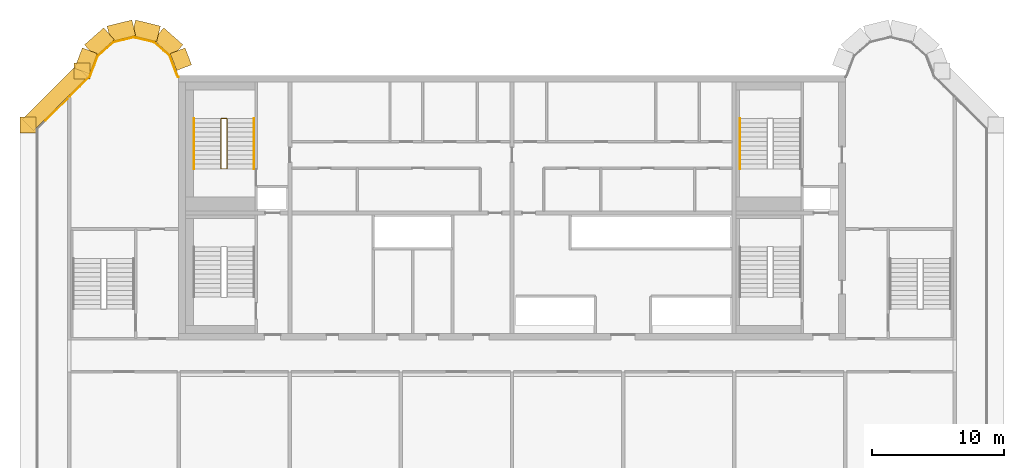
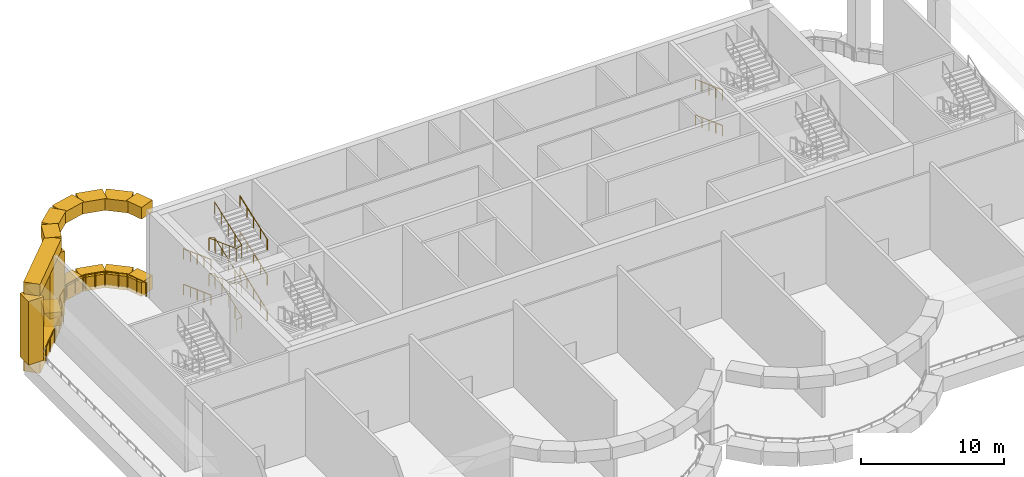
# One storey, part 9 of 11: 16 coverings, 14 railings.
"""IFC4 building model written with IfcOpenShell, lengths in metres."""

from ifc_helpers import new_model, si_unit, direction, frame, origin, origin_2d, place, context, subcontext, project, spatial, rectangle, circle, extrude, source, transform, mapped, material, type_object, element, save


model = new_model("IFC4")

# Units and contexts
model_context = context("Model", 3, precision=1e-05, world=origin(), true_north=direction((0.0, 1.0)))
body_context = subcontext(model_context, "Body", "Model", "MODEL_VIEW")
ifc_project = project(units=[si_unit("LENGTHUNIT", "METRE"), si_unit("AREAUNIT", "SQUARE_METRE"), si_unit("VOLUMEUNIT", "CUBIC_METRE"), si_unit("PLANEANGLEUNIT", "RADIAN"), si_unit("MASSUNIT", "GRAM", prefix="KILO")], contexts=[model_context])

# Site, building, storey
site_placement = place(None, origin())
site = spatial("IfcSite", under=ifc_project, at=site_placement, CompositionType="ELEMENT")
building_placement = place(site_placement, origin())
building = spatial("IfcBuilding", under=site, at=building_placement, Name="Vanashikhar Sky Hotel", CompositionType="ELEMENT")
storey_placement = place(building_placement, frame((0.0, 0.0, 270.10009765625)))
storey = spatial("IfcBuildingStorey", under=building, at=storey_placement, Name="L65", CompositionType="ELEMENT", Elevation=270.10009765625)

# Railings
ifc_material_1 = material(Name="Stainless steel 316", Category="steel")
railing_type_1 = type_object("IfcRailingType", Name="Open edge guard 1200", PredefinedType="GUARDRAIL", material=ifc_material_1)
shared_shape_1 = source(origin(), body_context, "Body", "SweptSolid", [
    extrude(circle(Radius=0.02392578125, at=origin_2d()), frame((0.0, 0.0, 1.17578125), z_axis=(0.749713466522, 0.661762584403, 0.0), x_axis=(-0.661762584403, 0.749713466522, 0.0)), (0.0, 0.0, 1.0), 0.630126953125),
    extrude(circle(Radius=0.02392578125, at=origin_2d()), frame((0.472412109375, 0.4169921875, 1.17578125), z_axis=(0.971157062052, 0.238440686181, 0.0), x_axis=(-0.238440686181, 0.971157062052, 0.0)), (0.0, 0.0, 1.0), 1.5859375),
    extrude(circle(Radius=0.02392578125, at=origin_2d()), frame((2.0126953125, 0.795166015625, 1.17578125), z_axis=(0.971053886782, -0.23886052199, 0.0), x_axis=(0.23886052199, 0.971053886782, 0.0)), (0.0, 0.0, 1.0), 0.156494140625),
    extrude(circle(Radius=0.02099609375, at=origin_2d()), origin(), (0.0, 0.0, 1.0), 1.15185546875),
    extrude(circle(Radius=0.02099609375, at=origin_2d()), frame((0.472412109375, 0.4169921875, 0.0)), (0.0, 0.0, 1.0), 1.15185546875),
    extrude(circle(Radius=0.02099609375, at=origin_2d()), frame((1.24267578125, 0.60595703125, 0.0)), (0.0, 0.0, 1.0), 1.15185546875),
    extrude(circle(Radius=0.02099609375, at=origin_2d()), frame((2.0126953125, 0.795166015625, 0.0)), (0.0, 0.0, 1.0), 1.15185546875),
    extrude(circle(Radius=0.02099609375, at=origin_2d()), frame((2.16455078125, 0.7578125, 0.0)), (0.0, 0.0, 1.0), 1.15185546875),
])
railing_1_placement = place(storey_placement, frame((19.787353515625, 44.101806640625, 0.0)))
element("IfcRailing", 1, at=railing_1_placement, inside=storey, type_object=railing_type_1, Name="Open edge guard", PredefinedType="GUARDRAIL", context=body_context, shape_type="MappedRepresentation", body=[
    mapped(shared_shape_1, transform((0.0, 0.0, 0.0), scale=1.0)),
])
shared_shape_2 = source(origin(), body_context, "Body", "SweptSolid", [
    extrude(circle(Radius=0.02392578125, at=origin_2d()), frame((0.0, 0.0, 1.17578125), z_axis=(0.97116833688, -0.238394759677, 0.0), x_axis=(0.238394759677, 0.97116833688, 0.0)), (0.0, 0.0, 1.0), 1.4296875),
    extrude(circle(Radius=0.02392578125, at=origin_2d()), frame((1.388427734375, -0.3408203125, 1.17578125), z_axis=(0.749747186246, -0.661724381231, 0.0), x_axis=(0.661724381231, 0.749747186246, 0.0)), (0.0, 0.0, 1.0), 0.943115234375),
    extrude(circle(Radius=0.02099609375, at=origin_2d()), origin(), (0.0, 0.0, 1.0), 1.15185546875),
    extrude(circle(Radius=0.02099609375, at=origin_2d()), frame((0.6943359375, -0.17041015625, 0.0)), (0.0, 0.0, 1.0), 1.15185546875),
    extrude(circle(Radius=0.02099609375, at=origin_2d()), frame((1.388427734375, -0.3408203125, 0.0)), (0.0, 0.0, 1.0), 1.15185546875),
    extrude(circle(Radius=0.02099609375, at=origin_2d()), frame((2.095458984375, -0.96484375, 0.0)), (0.0, 0.0, 1.0), 1.15185546875),
])
railing_2_placement = place(storey_placement, frame((21.951904296875, 44.859619140625, 0.0)))
element("IfcRailing", 2, at=railing_2_placement, inside=storey, type_object=railing_type_1, Name="Open edge guard", PredefinedType="GUARDRAIL", context=body_context, shape_type="MappedRepresentation", body=[
    mapped(shared_shape_2, transform((0.0, 0.0, 0.0), scale=1.0)),
])
shared_shape_3 = source(origin(), body_context, "Body", "SweptSolid", [
    extrude(circle(Radius=0.02392578125, at=origin_2d()), frame((0.0, 0.0, 1.17578125), z_axis=(0.749683064386, -0.661797025509, 0.0), x_axis=(0.661797025509, 0.749683064386, 0.0)), (0.0, 0.0, 1.0), 0.64453125),
    extrude(circle(Radius=0.02392578125, at=origin_2d()), frame((0.483154296875, -0.426513671875, 1.17578125), z_axis=(0.357614897755, -0.933869147634, 0.0), x_axis=(0.933869147634, 0.357614897755, 0.0)), (0.0, 0.0, 1.0), 1.679443359375),
    extrude(circle(Radius=0.02392578125, at=origin_2d()), frame((1.083740234375, -1.994873046875, 1.17578125), z_axis=(1.0, 0.0, 0.0), x_axis=(0.0, 1.0, 0.0)), (0.0, 0.0, 1.0), 0.048828125),
    extrude(circle(Radius=0.02099609375, at=origin_2d()), origin(), (0.0, 0.0, 1.0), 1.15185546875),
    extrude(circle(Radius=0.02099609375, at=origin_2d()), frame((0.483154296875, -0.426513671875, 0.0)), (0.0, 0.0, 1.0), 1.15185546875),
    extrude(circle(Radius=0.02099609375, at=origin_2d()), frame((0.783447265625, -1.210693359375, 0.0)), (0.0, 0.0, 1.0), 1.15185546875),
    extrude(circle(Radius=0.02099609375, at=origin_2d()), frame((1.083740234375, -1.994873046875, 0.0)), (0.0, 0.0, 1.0), 1.15185546875),
    extrude(circle(Radius=0.02099609375, at=origin_2d()), frame((1.132568359375, -1.994873046875, 0.0)), (0.0, 0.0, 1.0), 1.15185546875),
])
railing_3_placement = place(storey_placement, frame((24.04736328125, 43.894775390625, 0.0)))
element("IfcRailing", 3, at=railing_3_placement, inside=storey, type_object=railing_type_1, Name="Open edge guard", PredefinedType="GUARDRAIL", context=body_context, shape_type="MappedRepresentation", body=[
    mapped(shared_shape_3, transform((0.0, 0.0, 0.0), scale=1.0)),
])

# Coverings
ifc_material_2 = material(Name="Concrete M60 dark", Category="concrete")
covering_type = type_object("IfcCoveringType", Name="Wind floor portal frame", PredefinedType="CLADDING", material=ifc_material_2)
shared_shape_4 = source(origin(), body_context, "Body", "SweptSolid", [
    extrude(rectangle(XDim=5.777587890625, YDim=1.199951171875, at=origin_2d()), origin(), (0.0, 0.0, 1.0), 1.0),
])
covering_1_placement = place(storey_placement, frame((15.8427734375, 40.291259765625, 6.31982421875), z_axis=(0.0, 0.0, 1.0), x_axis=(-0.707106781187, -0.707106781187, 0.0)))
element("IfcCovering", 4, at=covering_1_placement, inside=storey, type_object=covering_type, Name="Portal frame head", PredefinedType="CLADDING", context=body_context, shape_type="MappedRepresentation", body=[
    mapped(shared_shape_4, transform((0.0, 0.0, 0.0), scale=1.0)),
])
shared_shape_5 = source(origin(), body_context, "Body", "SweptSolid", [
    extrude(rectangle(XDim=1.65478515625, YDim=1.199951171875, at=origin_2d()), origin(), (0.0, 0.0, 1.0), 1.0),
])
covering_2_placement = place(storey_placement, frame((18.181396484375, 43.106689453125, 6.31982421875), z_axis=(0.0, 0.0, 1.0), x_axis=(-0.357716100175, -0.933830386995, 0.0)))
element("IfcCovering", 5, at=covering_2_placement, inside=storey, type_object=covering_type, Name="Portal frame head", PredefinedType="CLADDING", context=body_context, shape_type="MappedRepresentation", body=[
    mapped(shared_shape_5, transform((0.0, 0.0, 0.0), scale=1.0)),
])
shared_shape_6 = source(origin(), body_context, "Body", "SweptSolid", [
    extrude(rectangle(XDim=1.65478515625, YDim=1.199951171875, at=origin_2d()), origin(), (0.0, 0.0, 1.0), 1.179931640625),
])
covering_3_placement = place(storey_placement, frame((18.181396484375, 43.106689453125, -0.2802734375), z_axis=(0.0, 0.0, 1.0), x_axis=(-0.357716100175, -0.933830386995, 0.0)))
element("IfcCovering", 6, at=covering_3_placement, inside=storey, type_object=covering_type, Name="Portal frame sill", PredefinedType="CLADDING", context=body_context, shape_type="MappedRepresentation", body=[
    mapped(shared_shape_6, transform((0.0, 0.0, 0.0), scale=1.0)),
])
shared_shape_7 = source(origin(), body_context, "Body", "SweptSolid", [
    extrude(rectangle(XDim=1.931640625, YDim=1.199951171875, at=origin_2d()), origin(), (0.0, 0.0, 1.0), 1.0),
])
for number, where, z_axis, x_axis, name in (
    (7, (24.3984375, 44.518310546875, 6.31982421875), (0.0, 0.0, 1.0), (-0.749741606437, 0.661730703214, 0.0), "Portal frame head"),
    (8, (19.201416015625, 44.518310546875, 6.31982421875), (0.0, 0.0, 1.0), (-0.749741606437, -0.661730703214, 0.0), "Portal frame head"),
):
    element("IfcCovering", number, at=place(storey_placement, frame(where, z_axis=z_axis, x_axis=x_axis)), inside=storey, type_object=covering_type, Name=name, PredefinedType="CLADDING", context=body_context, shape_type="MappedRepresentation", body=[
        mapped(shared_shape_7, transform((0.0, 0.0, 0.0), scale=1.0)),
    ])
shared_shape_8 = source(origin(), body_context, "Body", "SweptSolid", [
    extrude(rectangle(XDim=1.931640625, YDim=1.199951171875, at=origin_2d()), origin(), (0.0, 0.0, 1.0), 1.179931640625),
])
for number, where, z_axis, x_axis, name in (
    (9, (24.3984375, 44.518310546875, -0.2802734375), (0.0, 0.0, 1.0), (-0.749741606437, 0.661730703214, 0.0), "Portal frame sill"),
    (10, (19.201416015625, 44.518310546875, -0.2802734375), (0.0, 0.0, 1.0), (-0.749741606437, -0.661730703214, 0.0), "Portal frame sill"),
):
    element("IfcCovering", number, at=place(storey_placement, frame(where, z_axis=z_axis, x_axis=x_axis)), inside=storey, type_object=covering_type, Name=name, PredefinedType="CLADDING", context=body_context, shape_type="MappedRepresentation", body=[
        mapped(shared_shape_8, transform((0.0, 0.0, 0.0), scale=1.0)),
    ])
shared_shape_9 = source(origin(), body_context, "Body", "SweptSolid", [
    extrude(rectangle(XDim=1.93017578125, YDim=1.199951171875, at=origin_2d()), origin(), (0.0, 0.0, 1.0), 1.0),
])
for number, where, z_axis, x_axis, name in (
    (11, (22.7373046875, 45.3876953125, 6.31982421875), (0.0, 0.0, 1.0), (-0.971146768161, 0.23848260878, 0.0), "Portal frame head"),
    (12, (20.86279296875, 45.3876953125, 6.31982421875), (0.0, 0.0, 1.0), (-0.971146768161, -0.23848260878, 0.0), "Portal frame head"),
):
    element("IfcCovering", number, at=place(storey_placement, frame(where, z_axis=z_axis, x_axis=x_axis)), inside=storey, type_object=covering_type, Name=name, PredefinedType="CLADDING", context=body_context, shape_type="MappedRepresentation", body=[
        mapped(shared_shape_9, transform((0.0, 0.0, 0.0), scale=1.0)),
    ])
shared_shape_10 = source(origin(), body_context, "Body", "SweptSolid", [
    extrude(rectangle(XDim=1.93017578125, YDim=1.199951171875, at=origin_2d()), origin(), (0.0, 0.0, 1.0), 1.179931640625),
])
for number, where, z_axis, x_axis, name in (
    (13, (22.7373046875, 45.3876953125, -0.2802734375), (0.0, 0.0, 1.0), (-0.971146768161, 0.23848260878, 0.0), "Portal frame sill"),
    (14, (20.86279296875, 45.3876953125, -0.2802734375), (0.0, 0.0, 1.0), (-0.971146768161, -0.23848260878, 0.0), "Portal frame sill"),
):
    element("IfcCovering", number, at=place(storey_placement, frame(where, z_axis=z_axis, x_axis=x_axis)), inside=storey, type_object=covering_type, Name=name, PredefinedType="CLADDING", context=body_context, shape_type="MappedRepresentation", body=[
        mapped(shared_shape_10, transform((0.0, 0.0, 0.0), scale=1.0)),
    ])
shared_shape_11 = source(origin(), body_context, "Body", "SweptSolid", [
    extrude(rectangle(XDim=1.3701171875, YDim=1.199951171875, at=origin_2d()), origin(), (0.0, 0.0, 1.0), 1.0),
])
covering_4_placement = place(storey_placement, frame((25.36767578125, 43.239501953125, 6.31982421875), z_axis=(0.0, 0.0, 1.0), x_axis=(-0.357748696787, 0.933817899779, 0.0)))
element("IfcCovering", 15, at=covering_4_placement, inside=storey, type_object=covering_type, Name="Portal frame head", PredefinedType="CLADDING", context=body_context, shape_type="MappedRepresentation", body=[
    mapped(shared_shape_11, transform((0.0, 0.0, 0.0), scale=1.0)),
])
shared_shape_12 = source(origin(), body_context, "Body", "SweptSolid", [
    extrude(rectangle(XDim=1.3701171875, YDim=1.199951171875, at=origin_2d()), origin(), (0.0, 0.0, 1.0), 1.179931640625),
])
covering_5_placement = place(storey_placement, frame((25.36767578125, 43.239501953125, -0.2802734375), z_axis=(0.0, 0.0, 1.0), x_axis=(-0.357748696787, 0.933817899779, 0.0)))
element("IfcCovering", 16, at=covering_5_placement, inside=storey, type_object=covering_type, Name="Portal frame sill", PredefinedType="CLADDING", context=body_context, shape_type="MappedRepresentation", body=[
    mapped(shared_shape_12, transform((0.0, 0.0, 0.0), scale=1.0)),
])
shared_shape_13 = source(origin(), body_context, "Body", "SweptSolid", [
    extrude(rectangle(XDim=1.199951171875, YDim=1.199951171875, at=origin_2d()), origin(), (0.0, 0.0, 1.0), 5.419921875),
])
for number, where, z_axis, x_axis, name in (
    (17, (17.885498046875, 42.333984375, 0.89990234375), (0.0, 0.0, 1.0), (1.0, 0.0, 0.0), "Portal frame jamb"),
    (18, (13.800048828125, 38.24853515625, 0.89990234375), (0.0, 0.0, 1.0), (1.0, 0.0, 0.0), "Portal frame jamb"),
):
    element("IfcCovering", number, at=place(storey_placement, frame(where, z_axis=z_axis, x_axis=x_axis)), inside=storey, type_object=covering_type, Name=name, PredefinedType="CLADDING", context=body_context, shape_type="MappedRepresentation", body=[
        mapped(shared_shape_13, transform((0.0, 0.0, 0.0), scale=1.0)),
    ])

# Railings
shared_shape_14 = source(origin(), body_context, "Body", "SweptSolid", [
    extrude(circle(Radius=0.02392578125, at=origin_2d()), frame((0.0, 0.0, 1.17578125), z_axis=(0.707106781187, 0.707106781187, 0.0), x_axis=(-0.707106781187, 0.707106781187, 0.0)), (0.0, 0.0, 1.0), 2.32421875),
    extrude(circle(Radius=0.02099609375, at=origin_2d()), origin(), (0.0, 0.0, 1.0), 1.15185546875),
    extrude(circle(Radius=0.02099609375, at=origin_2d()), frame((0.82177734375, 0.82177734375, 0.0)), (0.0, 0.0, 1.0), 1.15185546875),
    extrude(circle(Radius=0.02099609375, at=origin_2d()), frame((1.6435546875, 1.6435546875, 0.0)), (0.0, 0.0, 1.0), 1.15185546875),
])
railing_4_placement = place(storey_placement, frame((15.136474609375, 38.594970703125, 0.0)))
element("IfcRailing", 19, at=railing_4_placement, inside=storey, type_object=railing_type_1, Name="Open edge guard", PredefinedType="GUARDRAIL", context=body_context, shape_type="MappedRepresentation", body=[
    mapped(shared_shape_14, transform((0.0, 0.0, 0.0), scale=1.0)),
])
shared_shape_15 = source(origin(), body_context, "Body", "SweptSolid", [
    extrude(circle(Radius=0.02392578125, at=origin_2d()), frame((0.0, 0.0, 1.17578125), z_axis=(0.707106781187, 0.707106781187, 0.0), x_axis=(-0.707106781187, 0.707106781187, 0.0)), (0.0, 0.0, 1.0), 2.15576171875),
    extrude(circle(Radius=0.02392578125, at=origin_2d()), frame((1.5244140625, 1.5244140625, 1.17578125), z_axis=(0.357166377843, 0.934040779912, 0.0), x_axis=(-0.934040779912, 0.357166377843, 0.0)), (0.0, 0.0, 1.0), 0.216796875),
    extrude(circle(Radius=0.02099609375, at=origin_2d()), origin(), (0.0, 0.0, 1.0), 1.15185546875),
    extrude(circle(Radius=0.02099609375, at=origin_2d()), frame((0.76220703125, 0.76220703125, 0.0)), (0.0, 0.0, 1.0), 1.15185546875),
    extrude(circle(Radius=0.02099609375, at=origin_2d()), frame((1.5244140625, 1.5244140625, 0.0)), (0.0, 0.0, 1.0), 1.15185546875),
    extrude(circle(Radius=0.02099609375, at=origin_2d()), frame((1.601806640625, 1.726806640625, 0.0)), (0.0, 0.0, 1.0), 1.15185546875),
])
railing_5_placement = place(storey_placement, frame((16.96142578125, 40.419921875, 0.0)))
element("IfcRailing", 20, at=railing_5_placement, inside=storey, type_object=railing_type_1, Name="Open edge guard", PredefinedType="GUARDRAIL", context=body_context, shape_type="MappedRepresentation", body=[
    mapped(shared_shape_15, transform((0.0, 0.0, 0.0), scale=1.0)),
])
shared_shape_16 = source(origin(), body_context, "Body", "SweptSolid", [
    extrude(circle(Radius=0.02392578125, at=origin_2d()), frame((0.0, 0.0, 1.17578125), z_axis=(0.357788104639, 0.933802801548, 0.0), x_axis=(-0.933802801548, 0.357788104639, 0.0)), (0.0, 0.0, 1.0), 1.415283203125),
    extrude(circle(Radius=0.02392578125, at=origin_2d()), frame((0.50634765625, 1.321533203125, 1.17578125), z_axis=(0.749726216276, 0.661748139876, 0.0), x_axis=(-0.661748139876, 0.749726216276, 0.0)), (0.0, 0.0, 1.0), 0.957275390625),
    extrude(circle(Radius=0.02099609375, at=origin_2d()), origin(), (0.0, 0.0, 1.0), 1.15185546875),
    extrude(circle(Radius=0.02099609375, at=origin_2d()), frame((0.253173828125, 0.66064453125, 0.0)), (0.0, 0.0, 1.0), 1.15185546875),
    extrude(circle(Radius=0.02099609375, at=origin_2d()), frame((0.50634765625, 1.321533203125, 0.0)), (0.0, 0.0, 1.0), 1.15185546875),
    extrude(circle(Radius=0.02099609375, at=origin_2d()), frame((1.22412109375, 1.955078125, 0.0)), (0.0, 0.0, 1.0), 1.15185546875),
])
railing_6_placement = place(storey_placement, frame((18.563232421875, 42.146728515625, 0.0)))
element("IfcRailing", 21, at=railing_6_placement, inside=storey, type_object=railing_type_1, Name="Open edge guard", PredefinedType="GUARDRAIL", context=body_context, shape_type="MappedRepresentation", body=[
    mapped(shared_shape_16, transform((0.0, 0.0, 0.0), scale=1.0)),
])

# Covering
shared_shape_17 = source(origin(), body_context, "Body", "SweptSolid", [
    extrude(rectangle(XDim=5.777587890625, YDim=1.199951171875, at=origin_2d()), origin(), (0.0, 0.0, 1.0), 1.179931640625),
])
covering_6_placement = place(storey_placement, frame((15.8427734375, 40.291259765625, -0.2802734375), z_axis=(0.0, 0.0, 1.0), x_axis=(-0.707106781187, -0.707106781187, 0.0)))
element("IfcCovering", 22, at=covering_6_placement, inside=storey, type_object=covering_type, Name="Portal frame sill", PredefinedType="CLADDING", context=body_context, shape_type="MappedRepresentation", body=[
    mapped(shared_shape_17, transform((0.0, 0.0, 0.0), scale=1.0)),
])

# Railings
ifc_material_3 = material(Name="Steel S355", Category="steel")
railing_type_2 = type_object("IfcRailingType", Name="Stair handrail 900", PredefinedType="HANDRAIL", material=ifc_material_3)
shared_shape_18 = source(origin(), body_context, "Body", "SweptSolid", [
    extrude(circle(Radius=0.02392578125, at=origin_2d()), frame((0.0, 0.0, 0.8759765625), z_axis=(0.0, -0.938879565204, 0.344245787255), x_axis=(1.0, 0.0, 0.0)), (0.0, 0.0, 1.0), 4.04736328125),
    extrude(circle(Radius=0.02099609375, at=origin_2d()), origin(), (0.0, 0.0, 1.0), 0.851806640625),
    extrude(circle(Radius=0.02099609375, at=origin_2d()), frame((0.0, -0.949951171875, 0.348388671875)), (0.0, 0.0, 1.0), 0.851806640625),
    extrude(circle(Radius=0.02099609375, at=origin_2d()), frame((0.0, -1.89990234375, 0.69677734375)), (0.0, 0.0, 1.0), 0.851806640625),
    extrude(circle(Radius=0.02099609375, at=origin_2d()), frame((0.0, -2.85009765625, 1.044921875)), (0.0, 0.0, 1.0), 0.851806640625),
    extrude(circle(Radius=0.02099609375, at=origin_2d()), frame((0.0, -3.800048828125, 1.393310546875)), (0.0, 0.0, 1.0), 0.851806640625),
])
for number, where, name in (
    (23, (26.35009765625, 38.75, 1.646484375), "Exit stair 5 handrail"),
    (24, (26.35009765625, 38.75, 4.6865234375), "Exit stair 5 handrail"),
    (25, (67.64990234375, 38.75, 1.646484375), "Exit stair 6 handrail"),
    (26, (67.64990234375, 38.75, 4.6865234375), "Exit stair 6 handrail"),
):
    element("IfcRailing", number, at=place(storey_placement, frame(where)), inside=storey, type_object=railing_type_2, Name=name, PredefinedType="HANDRAIL", context=body_context, shape_type="MappedRepresentation", body=[
        mapped(shared_shape_18, transform((0.0, 0.0, 0.0), scale=1.0)),
    ])
shared_shape_19 = source(origin(), body_context, "Body", "SweptSolid", [
    extrude(circle(Radius=0.02392578125, at=origin_2d()), frame((0.0, 0.0, 0.8759765625), z_axis=(0.0, 0.938879565204, 0.344245787255), x_axis=(-1.0, 0.0, 0.0)), (0.0, 0.0, 1.0), 4.04736328125),
    extrude(circle(Radius=0.02099609375, at=origin_2d()), origin(), (0.0, 0.0, 1.0), 0.851806640625),
    extrude(circle(Radius=0.02099609375, at=origin_2d()), frame((0.0, 0.949951171875, 0.348388671875)), (0.0, 0.0, 1.0), 0.851806640625),
    extrude(circle(Radius=0.02099609375, at=origin_2d()), frame((0.0, 1.89990234375, 0.69677734375)), (0.0, 0.0, 1.0), 0.851806640625),
    extrude(circle(Radius=0.02099609375, at=origin_2d()), frame((0.0, 2.85009765625, 1.044921875)), (0.0, 0.0, 1.0), 0.851806640625),
    extrude(circle(Radius=0.02099609375, at=origin_2d()), frame((0.0, 3.800048828125, 1.393310546875)), (0.0, 0.0, 1.0), 0.851806640625),
])
for number, where, name in (
    (27, (30.89990234375, 34.949951171875, 3.16650390625), "Exit stair 5 handrail"),
    (28, (30.89990234375, 34.949951171875, 6.20654296875), "Exit stair 5 handrail"),
):
    element("IfcRailing", number, at=place(storey_placement, frame(where)), inside=storey, type_object=railing_type_2, Name=name, PredefinedType="HANDRAIL", context=body_context, shape_type="MappedRepresentation", body=[
        mapped(shared_shape_19, transform((0.0, 0.0, 0.0), scale=1.0)),
    ])
railing_type_3 = type_object("IfcRailingType", Name="Stair guard 1100", PredefinedType="GUARDRAIL", material=ifc_material_3)
shared_shape_20 = source(origin(), body_context, "Body", "SweptSolid", [
    extrude(circle(Radius=0.02392578125, at=origin_2d()), frame((0.0, 0.0, 1.076171875), z_axis=(0.962735939171, 0.0, 0.270443175971), x_axis=(0.0, 1.0, 0.0)), (0.0, 0.0, 1.0), 0.467529296875),
    extrude(circle(Radius=0.02392578125, at=origin_2d()), frame((0.4501953125, 0.0, 1.20263671875), z_axis=(0.0, 0.938860068383, 0.344298957297), x_axis=(-1.0, 0.0, 0.0)), (0.0, 0.0, 1.0), 4.047607421875),
    extrude(circle(Radius=0.02392578125, at=origin_2d()), frame((0.4501953125, 3.800048828125, 2.59619140625), z_axis=(-0.962735939171, 0.0, 0.270443175971), x_axis=(0.0, -1.0, 0.0)), (0.0, 0.0, 1.0), 0.467529296875),
    extrude(circle(Radius=0.02392578125, at=origin_2d()), frame((0.0, 3.800048828125, 2.72265625), z_axis=(0.0, -0.938879565204, 0.344245787255), x_axis=(1.0, 0.0, 0.0)), (0.0, 0.0, 1.0), 4.04736328125),
    extrude(circle(Radius=0.02392578125, at=origin_2d()), frame((0.0, 0.0, 4.11572265625), z_axis=(0.962599902366, 0.0, 0.270926979028), x_axis=(0.0, 1.0, 0.0)), (0.0, 0.0, 1.0), 0.4677734375),
    extrude(circle(Radius=0.02392578125, at=origin_2d()), frame((0.4501953125, 0.0, 4.24267578125), z_axis=(0.0, 0.938879565204, 0.344245787255), x_axis=(-1.0, 0.0, 0.0)), (0.0, 0.0, 1.0), 4.04736328125),
    extrude(circle(Radius=0.02392578125, at=origin_2d()), frame((0.4501953125, 3.800048828125, 5.6357421875), z_axis=(-0.962599902366, 0.0, 0.270926979028), x_axis=(0.0, -1.0, 0.0)), (0.0, 0.0, 1.0), 0.4677734375),
    extrude(circle(Radius=0.02392578125, at=origin_2d()), frame((0.0, 3.800048828125, 5.7626953125), z_axis=(0.0, -0.938879565204, 0.344245787255), x_axis=(1.0, 0.0, 0.0)), (0.0, 0.0, 1.0), 4.04736328125),
    extrude(circle(Radius=0.02392578125, at=origin_2d()), frame((0.0, 0.0, 7.15576171875), z_axis=(0.962599902366, 0.0, 0.270926979028), x_axis=(0.0, 1.0, 0.0)), (0.0, 0.0, 1.0), 0.4677734375),
    extrude(circle(Radius=0.02392578125, at=origin_2d()), frame((0.4501953125, 0.0, 7.28271484375), z_axis=(0.0, 0.938879565204, 0.344245787255), x_axis=(-1.0, 0.0, 0.0)), (0.0, 0.0, 1.0), 4.04736328125),
    extrude(circle(Radius=0.02099609375, at=origin_2d()), origin(), (0.0, 0.0, 1.0), 1.052001953125),
    extrude(circle(Radius=0.02099609375, at=origin_2d()), frame((0.4501953125, 0.0, 0.12646484375)), (0.0, 0.0, 1.0), 1.052001953125),
    extrude(circle(Radius=0.02099609375, at=origin_2d()), frame((0.4501953125, 0.949951171875, 0.474853515625)), (0.0, 0.0, 1.0), 1.052001953125),
    extrude(circle(Radius=0.02099609375, at=origin_2d()), frame((0.4501953125, 1.89990234375, 0.8232421875)), (0.0, 0.0, 1.0), 1.052001953125),
    extrude(circle(Radius=0.02099609375, at=origin_2d()), frame((0.4501953125, 2.85009765625, 1.171630859375)), (0.0, 0.0, 1.0), 1.052001953125),
    extrude(circle(Radius=0.02099609375, at=origin_2d()), frame((0.4501953125, 3.800048828125, 1.52001953125)), (0.0, 0.0, 1.0), 1.052001953125),
    extrude(circle(Radius=0.02099609375, at=origin_2d()), frame((0.0, 3.800048828125, 1.646484375)), (0.0, 0.0, 1.0), 1.052001953125),
    extrude(circle(Radius=0.02099609375, at=origin_2d()), frame((0.0, 2.85009765625, 1.994873046875)), (0.0, 0.0, 1.0), 1.052001953125),
    extrude(circle(Radius=0.02099609375, at=origin_2d()), frame((0.0, 1.89990234375, 2.34326171875)), (0.0, 0.0, 1.0), 1.052001953125),
    extrude(circle(Radius=0.02099609375, at=origin_2d()), frame((0.0, 0.949951171875, 2.69140625)), (0.0, 0.0, 1.0), 1.052001953125),
    extrude(circle(Radius=0.02099609375, at=origin_2d()), frame((0.0, 0.0, 3.039794921875)), (0.0, 0.0, 1.0), 1.052001953125),
    extrude(circle(Radius=0.02099609375, at=origin_2d()), frame((0.4501953125, 0.0, 3.16650390625)), (0.0, 0.0, 1.0), 1.052001953125),
    extrude(circle(Radius=0.02099609375, at=origin_2d()), frame((0.4501953125, 0.949951171875, 3.514892578125)), (0.0, 0.0, 1.0), 1.052001953125),
    extrude(circle(Radius=0.02099609375, at=origin_2d()), frame((0.4501953125, 1.89990234375, 3.86328125)), (0.0, 0.0, 1.0), 1.052001953125),
    extrude(circle(Radius=0.02099609375, at=origin_2d()), frame((0.4501953125, 2.85009765625, 4.21142578125)), (0.0, 0.0, 1.0), 1.052001953125),
    extrude(circle(Radius=0.02099609375, at=origin_2d()), frame((0.4501953125, 3.800048828125, 4.559814453125)), (0.0, 0.0, 1.0), 1.052001953125),
    extrude(circle(Radius=0.02099609375, at=origin_2d()), frame((0.0, 3.800048828125, 4.6865234375)), (0.0, 0.0, 1.0), 1.052001953125),
    extrude(circle(Radius=0.02099609375, at=origin_2d()), frame((0.0, 2.85009765625, 5.034912109375)), (0.0, 0.0, 1.0), 1.052001953125),
    extrude(circle(Radius=0.02099609375, at=origin_2d()), frame((0.0, 1.89990234375, 5.38330078125)), (0.0, 0.0, 1.0), 1.052001953125),
    extrude(circle(Radius=0.02099609375, at=origin_2d()), frame((0.0, 0.949951171875, 5.7314453125)), (0.0, 0.0, 1.0), 1.052001953125),
    extrude(circle(Radius=0.02099609375, at=origin_2d()), frame((0.0, 0.0, 6.079833984375)), (0.0, 0.0, 1.0), 1.052001953125),
    extrude(circle(Radius=0.02099609375, at=origin_2d()), frame((0.4501953125, 0.0, 6.20654296875)), (0.0, 0.0, 1.0), 1.052001953125),
    extrude(circle(Radius=0.02099609375, at=origin_2d()), frame((0.4501953125, 0.949951171875, 6.554931640625)), (0.0, 0.0, 1.0), 1.052001953125),
    extrude(circle(Radius=0.02099609375, at=origin_2d()), frame((0.4501953125, 1.89990234375, 6.9033203125)), (0.0, 0.0, 1.0), 1.052001953125),
    extrude(circle(Radius=0.02099609375, at=origin_2d()), frame((0.4501953125, 2.85009765625, 7.25146484375)), (0.0, 0.0, 1.0), 1.052001953125),
    extrude(circle(Radius=0.02099609375, at=origin_2d()), frame((0.4501953125, 3.800048828125, 7.599853515625)), (0.0, 0.0, 1.0), 1.052001953125),
])
railing_7_placement = place(storey_placement, frame((28.39990234375, 34.949951171875, 0.0)))
element("IfcRailing", 29, at=railing_7_placement, inside=storey, type_object=railing_type_3, Name="Exit stair 5 guard", PredefinedType="GUARDRAIL", context=body_context, shape_type="MappedRepresentation", body=[
    mapped(shared_shape_20, transform((0.0, 0.0, 0.0), scale=1.0)),
])
shared_shape_21 = source(origin(), body_context, "Body", "SweptSolid", [
    extrude(circle(Radius=0.02392578125, at=origin_2d()), frame((0.0, 0.0, 0.8759765625), z_axis=(0.0, 0.938860068383, 0.344298957297), x_axis=(-1.0, 0.0, 0.0)), (0.0, 0.0, 1.0), 4.047607421875),
    extrude(circle(Radius=0.02099609375, at=origin_2d()), origin(), (0.0, 0.0, 1.0), 0.851806640625),
    extrude(circle(Radius=0.02099609375, at=origin_2d()), frame((0.0, 0.949951171875, 0.348388671875)), (0.0, 0.0, 1.0), 0.851806640625),
    extrude(circle(Radius=0.02099609375, at=origin_2d()), frame((0.0, 1.89990234375, 0.69677734375)), (0.0, 0.0, 1.0), 0.851806640625),
    extrude(circle(Radius=0.02099609375, at=origin_2d()), frame((0.0, 2.85009765625, 1.045166015625)), (0.0, 0.0, 1.0), 0.851806640625),
    extrude(circle(Radius=0.02099609375, at=origin_2d()), frame((0.0, 3.800048828125, 1.3935546875)), (0.0, 0.0, 1.0), 0.851806640625),
])
railing_8_placement = place(storey_placement, frame((30.89990234375, 34.949951171875, 0.12646484375)))
element("IfcRailing", 30, at=railing_8_placement, inside=storey, type_object=railing_type_2, Name="Exit stair 5 handrail", PredefinedType="HANDRAIL", context=body_context, shape_type="MappedRepresentation", body=[
    mapped(shared_shape_21, transform((0.0, 0.0, 0.0), scale=1.0)),
])

save(model, "model.ifc")
